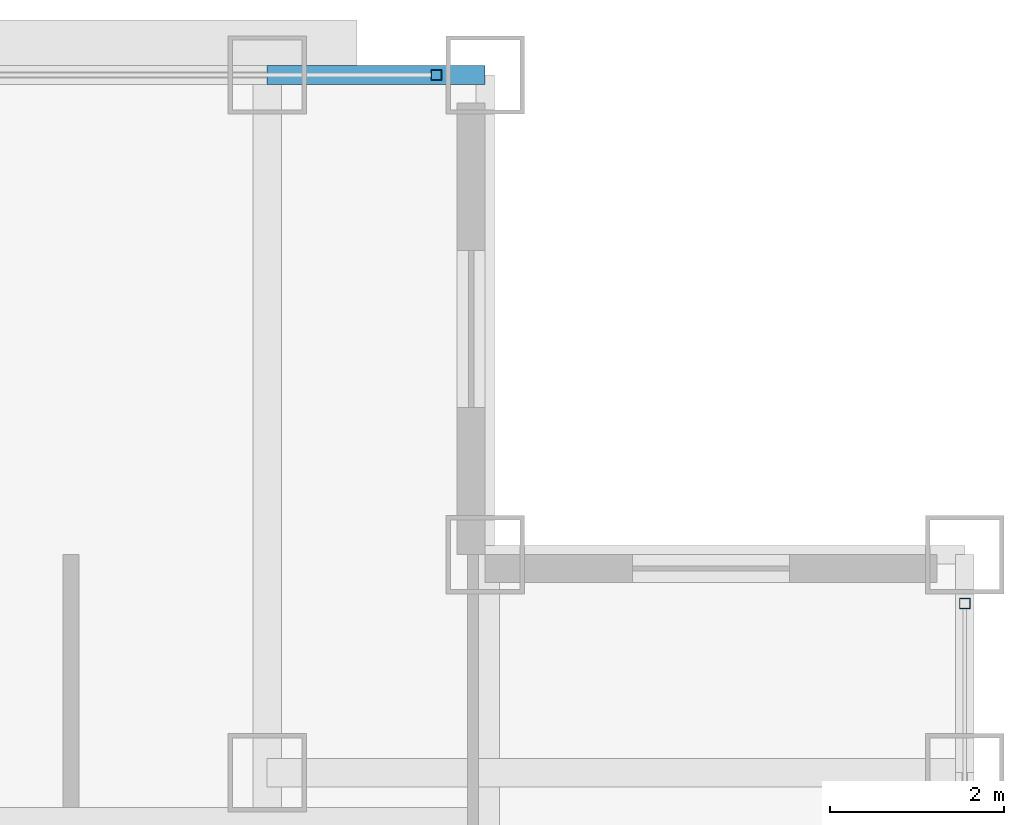
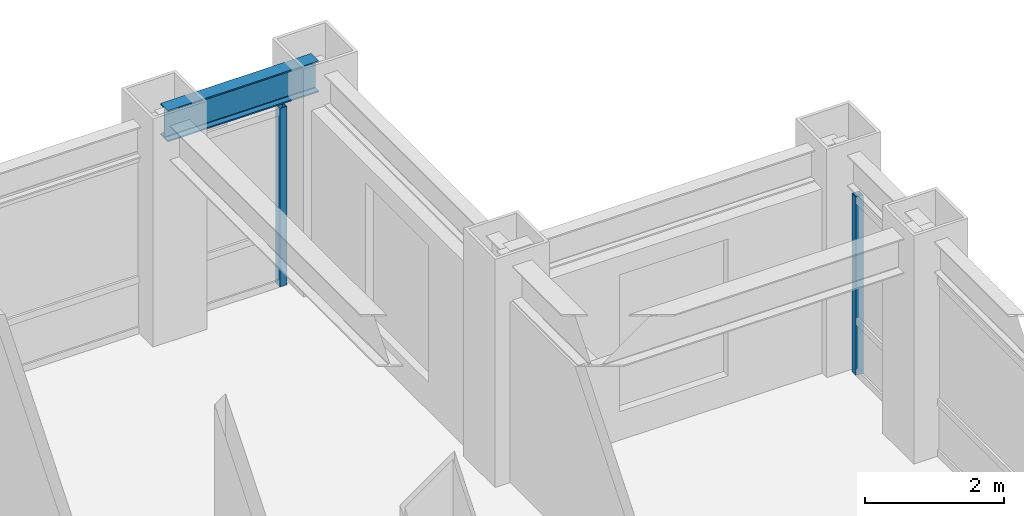
# One storey, part 16 of 27: 2 members, 1 beam, 2 elements without a shape of their own.
"""IFC4 building model written with IfcOpenShell, lengths in metres."""

from ifc_helpers import new_model, si_unit, direction, frame, origin, origin_2d, place, context, subcontext, project, spatial, hollow_rectangle, i_section, extrude, source, transform, mapped, material, material_profile, profile_set, type_object, element, aggregate, save


model = new_model("IFC4")

# Units and contexts
model_context = context("Model", 3, precision=1e-05, world=origin(), true_north=direction((0.0, 1.0)))
body_context = subcontext(model_context, "Body", "Model", "MODEL_VIEW")
ifc_project = project(units=[si_unit("LENGTHUNIT", "METRE"), si_unit("AREAUNIT", "SQUARE_METRE"), si_unit("VOLUMEUNIT", "CUBIC_METRE"), si_unit("PLANEANGLEUNIT", "RADIAN"), si_unit("MASSUNIT", "GRAM", prefix="KILO")], contexts=[model_context])

# Site, building, storey
site_placement = place(None, origin())
site = spatial("IfcSite", under=ifc_project, at=site_placement, CompositionType="ELEMENT")
building_placement = place(site_placement, origin())
building = spatial("IfcBuilding", under=site, at=building_placement, Name="Khorayat Bourse Tower", CompositionType="ELEMENT")
storey_placement = place(building_placement, frame((0.0, 0.0, 317.5)))
storey = spatial("IfcBuildingStorey", under=building, at=storey_placement, Name="L75", CompositionType="ELEMENT", Elevation=317.5)

# Beam
ifc_material_1 = material(Name="Steel ASTM A992 Grade 50", Category="steel")
ifc_material_profile_1 = material_profile(ifc_material_1, i_section(OverallWidth=0.214111328125, OverallDepth=0.549072265625, WebThickness=0.0146484375, FlangeThickness=0.023681640625, FilletRadius=0.013916015625, at=origin_2d()), Name="W530X138")
ifc_profile_set_1 = profile_set([ifc_material_profile_1], Name="Steel ASTM A992 Grade 50")
beam_type = type_object("IfcBeamType", Name="BM-SPAN-530", PredefinedType="SPANDREL", material=ifc_profile_set_1)
shared_shape_1 = source(origin(), body_context, "Body", "SweptSolid", [
    extrude(i_section(OverallWidth=0.214111328125, OverallDepth=0.549072265625, WebThickness=0.0146484375, FlangeThickness=0.023681640625, FilletRadius=0.013916015625, at=origin_2d()), origin(), (0.0, 0.0, 1.0), 2.5),
])
beam_placement = place(storey_placement, frame((20.0, 28.0, 3.505615234375), z_axis=(1.0, 0.0, 0.0), x_axis=(0.0, 1.0, 0.0)))
element("IfcBeam", 1, at=beam_placement, inside=storey, type_object=beam_type, Name="L75 BM-SPAN-530 BM-L75-SPN-044", PredefinedType="SPANDREL", context=body_context, shape_type="MappedRepresentation", body=[
    mapped(shared_shape_1, transform((0.0, 0.0, 0.0), scale=1.0)),
])

# Curtain wall, member
ifc_material_2 = material(Name="Aluminium EN AW-6063 T6", Category="aluminium")
curtain_wall_type = type_object("IfcCurtainWallType", Name="CW-SYS-04", PredefinedType="NOTDEFINED", material=ifc_material_2)
curtain_wall_1_placement = place(storey_placement, origin())
curtain_wall_1 = element("IfcCurtainWall", 2, at=curtain_wall_1_placement, inside=storey, type_object=curtain_wall_type, Name="L75 Curtain Wall CW-L75-N1", PredefinedType="NOTDEFINED")
ifc_material_profile_2 = material_profile(ifc_material_2, hollow_rectangle(XDim=0.1201171875, YDim=0.1201171875, WallThickness=0.0048828125, at=origin_2d()), Name="ALU 120x120x5")
ifc_profile_set_2 = profile_set([ifc_material_profile_2], Name="Aluminium EN AW-6063 T6")
member_type = type_object("IfcMemberType", Name="CWM-VERT-120", PredefinedType="MULLION", material=ifc_profile_set_2)
shared_shape_2 = source(origin(), body_context, "Body", "SweptSolid", [
    extrude(hollow_rectangle(XDim=0.1201171875, YDim=0.1201171875, WallThickness=0.0048828125, at=origin_2d()), origin(), (0.0, 0.0, 1.0), 3.1298828125),
])
member_1_placement = place(storey_placement, frame((21.93994140625, 28.0, 0.0), z_axis=(0.0, 0.0, 1.0), x_axis=(0.0, 1.0, 0.0)))
member_1 = element("IfcMember", 3, at=member_1_placement, type_object=member_type, Name="CW-L75-N1 Vertical Mullion 3", PredefinedType="MULLION", context=body_context, shape_type="MappedRepresentation", body=[
    mapped(shared_shape_2, transform((0.0, 0.0, 0.0), scale=1.0)),
])
aggregate(curtain_wall_1, [member_1])

curtain_wall_2_placement = place(storey_placement, origin())
curtain_wall_2 = element("IfcCurtainWall", 4, at=curtain_wall_2_placement, inside=storey, type_object=curtain_wall_type, Name="L75 Curtain Wall CW-L75-E1", PredefinedType="NOTDEFINED")
member_2_placement = place(storey_placement, frame((28.0, 21.93994140625, 0.0), z_axis=(0.0, 0.0, 1.0), x_axis=(-1.0, 0.0, 0.0)))
member_2 = element("IfcMember", 5, at=member_2_placement, type_object=member_type, Name="CW-L75-E1 Vertical Mullion 3", PredefinedType="MULLION", context=body_context, shape_type="MappedRepresentation", body=[
    mapped(shared_shape_2, transform((0.0, 0.0, 0.0), scale=1.0)),
])
aggregate(curtain_wall_2, [member_2])

save(model, "model.ifc")
